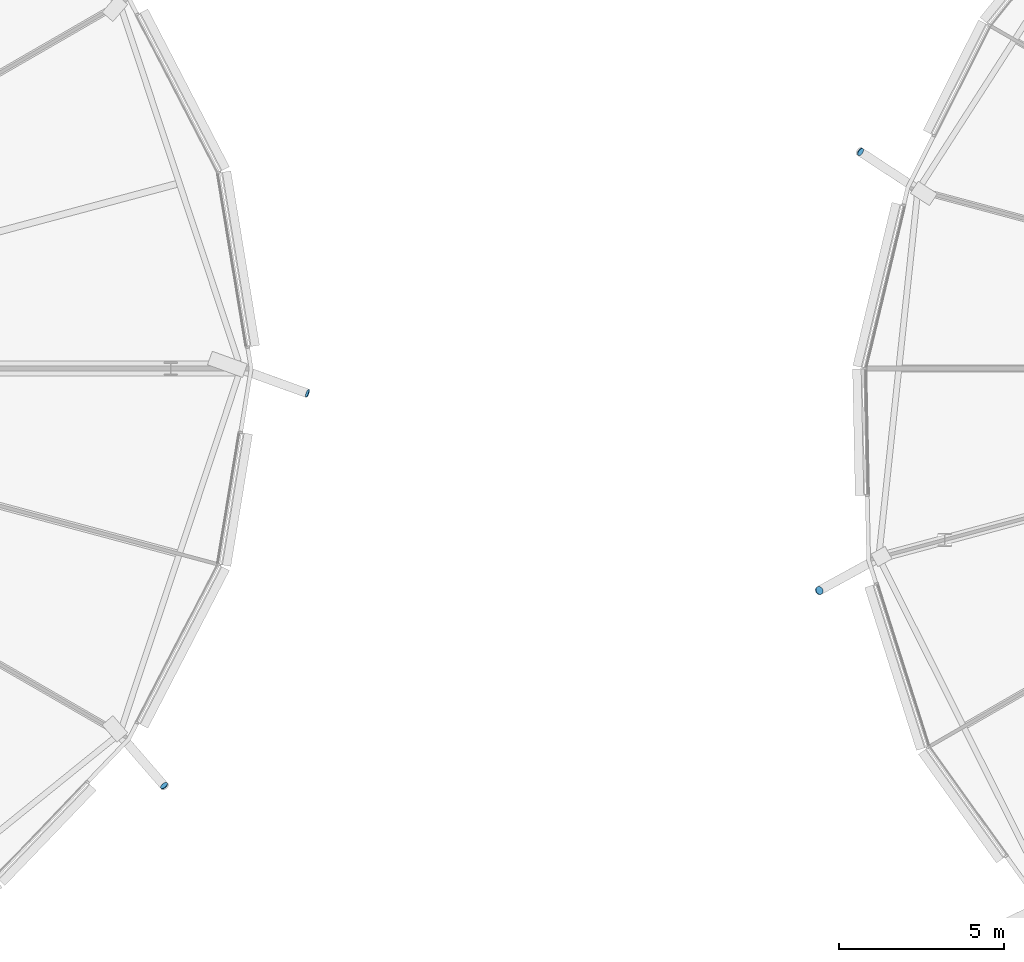
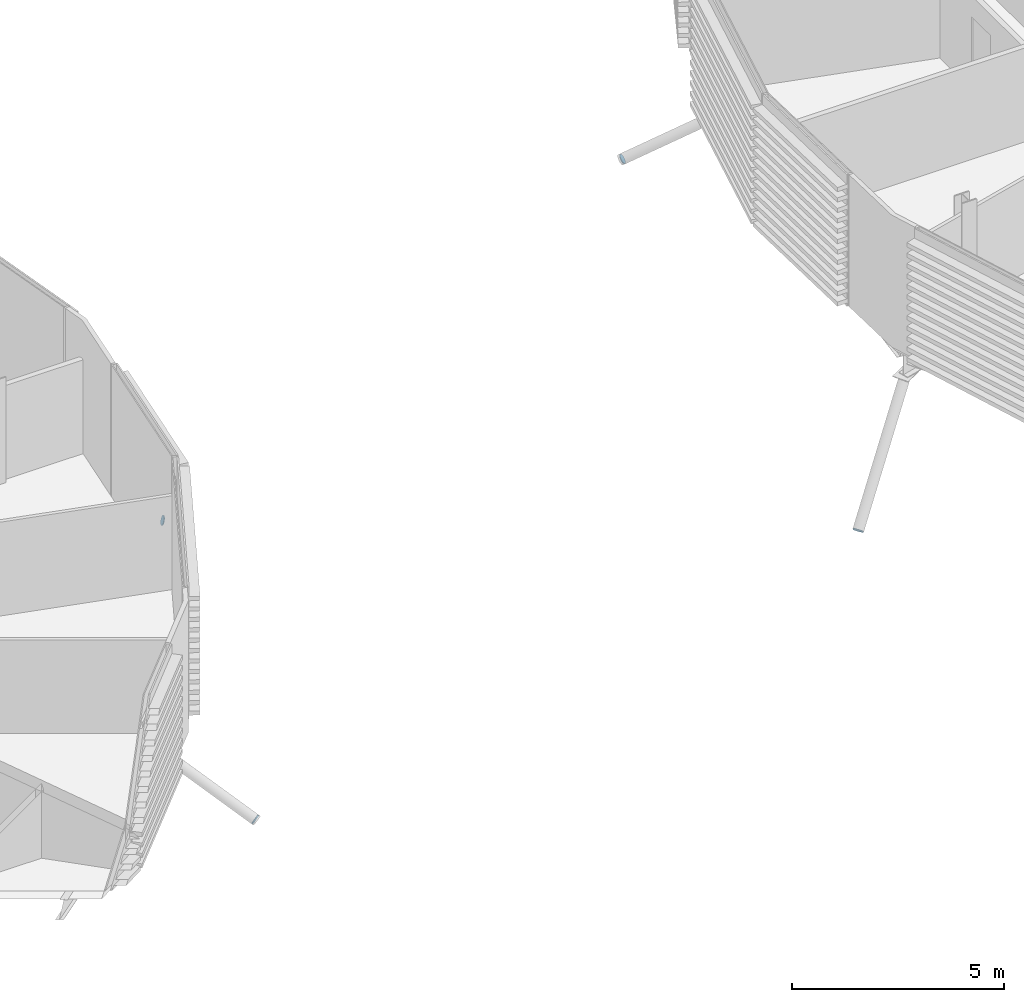
# One storey, part 29 of 38: 4 discrete accessories.
"""IFC4 building model written with IfcOpenShell, lengths in metres."""

from ifc_helpers import new_model, si_unit, direction, frame, origin, origin_2d, place, context, subcontext, project, spatial, circle, extrude, material, material_profile, profile_set, type_object, element, save


model = new_model("IFC4")

# Units and contexts
model_context = context("Model", 3, precision=1e-05, world=origin(), true_north=direction((0.0, 1.0)))
body_context = subcontext(model_context, "Body", "Model", "MODEL_VIEW")
ifc_project = project(units=[si_unit("LENGTHUNIT", "METRE"), si_unit("AREAUNIT", "SQUARE_METRE"), si_unit("VOLUMEUNIT", "CUBIC_METRE"), si_unit("PLANEANGLEUNIT", "RADIAN"), si_unit("MASSUNIT", "GRAM", prefix="KILO")], contexts=[model_context])

# Site, building, storey
site_placement = place(None, origin())
site = spatial("IfcSite", under=ifc_project, at=site_placement, CompositionType="ELEMENT")
building_placement = place(site_placement, origin())
building = spatial("IfcBuilding", under=site, at=building_placement, Name="Rimbun Link Towers", CompositionType="ELEMENT")
storey_placement = place(building_placement, frame((0.0, 0.0, 56.60009765625)))
storey = spatial("IfcBuildingStorey", under=building, at=storey_placement, Name="L13", CompositionType="ELEMENT", Elevation=56.60009765625)

# Discrete accessories
ifc_material = material(Name="Steel S355J2H", Category="steel")
ifc_material_profile = material_profile(ifc_material, circle(Radius=0.1240234375, at=origin_2d()), Name="PL D248")
ifc_profile_set = profile_set([ifc_material_profile], Name="Steel S355J2H")
discrete_accessory_type = type_object("IfcDiscreteAccessoryType", Name="Link foot sealing plate D248X20", PredefinedType="BRACKET", material=ifc_profile_set)
for number, where, z_axis, x_axis, name in (
    (1, (-6.922119140625, -0.74609375, -2.133544921875), (0.901768713799, -0.3290237199, -0.2802794651), (0.342762160206, 0.93942221686, 0.0), "Link foot sealing plate T1 L13 00"),
    (2, (-11.2607421875, -12.628662109375, -2.016357421875), (0.562441339278, -0.648030238733, -0.513533396732), (0.755218729872, 0.655472859889, 0.0), "Link foot sealing plate T1 L13 22"),
):
    element("IfcDiscreteAccessory", number, at=place(storey_placement, frame(where, z_axis=z_axis, x_axis=x_axis)), inside=storey, type_object=discrete_accessory_type, Name=name, PredefinedType="BRACKET", context=body_context, shape_type="SweptSolid", body=[
        extrude(circle(Radius=0.1240234375, at=origin_2d()), origin(), (0.0, 0.0, 1.0), 0.02001953125),
    ])
discrete_accessory_1_placement = place(storey_placement, frame((9.840087890625, 6.558349609375, -2.017822265625), z_axis=(-0.715449881663, 0.468743025917, -0.518084397066), x_axis=(-0.548026257311, -0.83646112958, 0.0)))
element("IfcDiscreteAccessory", 3, at=discrete_accessory_1_placement, inside=storey, type_object=discrete_accessory_type, Name="Link foot sealing plate T2 L13 08", PredefinedType="BRACKET", context=body_context, shape_type="SweptSolid", body=[
    extrude(circle(Radius=0.1240234375, at=origin_2d()), origin(), (0.0, 0.0, 1.0), 0.019775390625),
])
discrete_accessory_2_placement = place(storey_placement, frame((8.59375, -6.72021484375, -4.2158203125), z_axis=(-0.488386290506, -0.268612459778, -0.830256693859), x_axis=(0.481918749772, -0.876215908677, 0.0)))
element("IfcDiscreteAccessory", 4, at=discrete_accessory_2_placement, inside=storey, type_object=discrete_accessory_type, Name="Link foot sealing plate T2 L13 10", PredefinedType="BRACKET", context=body_context, shape_type="SweptSolid", body=[
    extrude(circle(Radius=0.1240234375, at=origin_2d()), origin(), (0.0, 0.0, 1.0), 0.02001953125),
])

save(model, "model.ifc")
